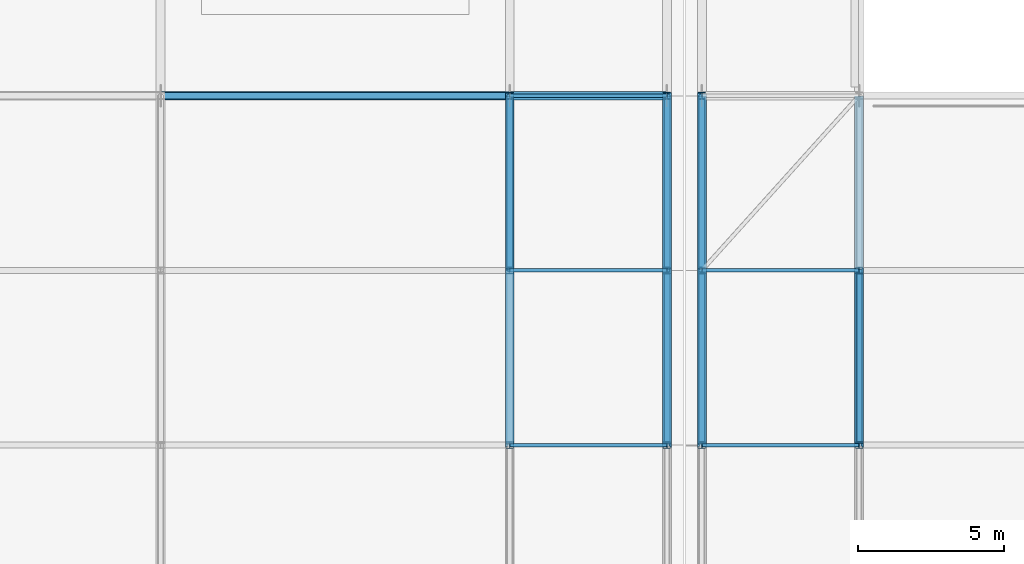
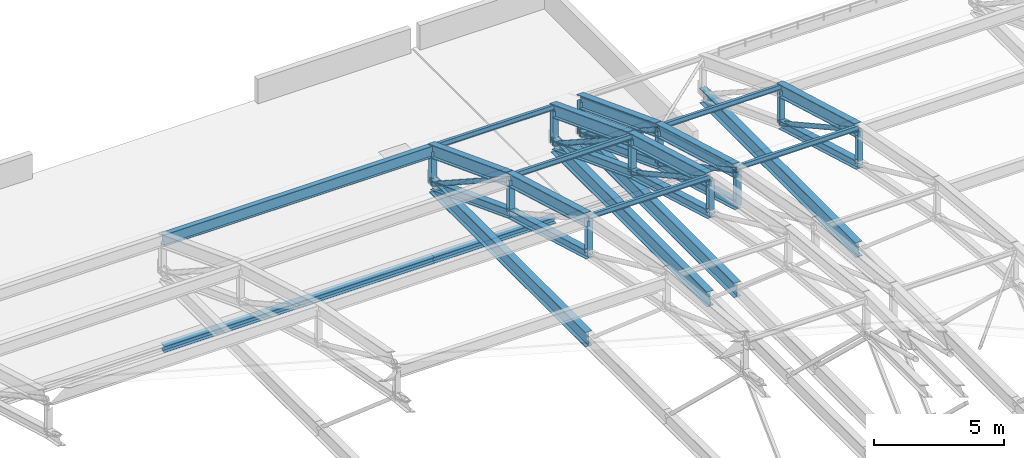
# One storey, part 152 of 204: 41 members, 2 beams.
"""IFC4 building model written with IfcOpenShell, lengths in metres."""

import ifcopenshell
import ifcopenshell.guid

model = None  # the IFC model being written
_history = None  # IfcOwnerHistory: only IFC2X3 demands one
_inside = {}  # id of a spatial element -> (the spatial element, [elements in it])
_under = {}  # id of a project, library or spatial element -> (it, [spatial elements below it])
_declared = {}  # id of a project -> (the project, [libraries it declares])
_typed = {}  # id of a type object -> (the type object, [elements of that type])
_made_of = {}  # id of a material, layer set ... -> (it, [elements and type objects made of it])


def new_model(schema):
    """Start an empty IFC model of exactly this schema.

    Asked for "IFC4X3", IfcOpenShell would pick the latest addendum, in which some entities
    have other attributes; the version numbers below select the first issue.
    IFC2X3 requires an IfcOwnerHistory on every rooted entity: one is made here for all.
    """
    global model, _history
    if schema == "IFC4X3":
        model = ifcopenshell.file(schema_version=(4, 3, 0, 0))
    else:
        model = ifcopenshell.file(schema=schema)
    _inside.clear()
    _under.clear()
    _declared.clear()
    _typed.clear()
    _made_of.clear()
    _history = None
    if model.schema == "IFC2X3":
        org = make("IfcOrganization", Name="unknown")
        user = make(
            "IfcPersonAndOrganization",
            ThePerson=make("IfcPerson", FamilyName="unknown"),
            TheOrganization=org,
        )
        app = make(
            "IfcApplication",
            ApplicationDeveloper=org,
            Version="unknown",
            ApplicationFullName="unknown",
            ApplicationIdentifier="unknown",
        )
        _history = make(
            "IfcOwnerHistory",
            OwningUser=user,
            OwningApplication=app,
            ChangeAction="ADDED",
            CreationDate=0,
        )
    return model


def make(cls, **values):
    """One entity of the class cls with the attributes given. An attribute that is None is left unset."""
    return model.create_entity(
        cls, **{name: value for name, value in values.items() if value is not None}
    )


def rooted(cls, **values):
    """An entity with a GlobalId (a new one), such as an element, a storey or a relation."""
    return make(cls, GlobalId=ifcopenshell.guid.new(), OwnerHistory=_history, **values)


def si_unit(unit_type, name, prefix=None):
    """IfcSIUnit, for example si_unit("LENGTHUNIT", "METRE", prefix="MILLI")."""
    return make("IfcSIUnit", UnitType=unit_type, Prefix=prefix, Name=name)


def assignment(units):
    """IfcUnitAssignment: the units of a project."""
    return None if units is None else make("IfcUnitAssignment", Units=units)


def point(xyz):
    """IfcCartesianPoint."""
    return None if xyz is None else make("IfcCartesianPoint", Coordinates=xyz)


def direction(xyz):
    """IfcDirection."""
    return None if xyz is None else make("IfcDirection", DirectionRatios=xyz)


def frame(location, z_axis=None, x_axis=None):
    """IfcAxis2Placement3D, a coordinate frame: its origin and axes. An axis left out is left unset."""
    return make(
        "IfcAxis2Placement3D",
        Location=point(location),
        Axis=direction(z_axis),
        RefDirection=direction(x_axis),
    )


def frame_2d(location, x_axis=None):
    """IfcAxis2Placement2D, a coordinate frame in the plane: its origin and x axis."""
    return make(
        "IfcAxis2Placement2D", Location=point(location), RefDirection=direction(x_axis)
    )


def origin():
    """The frame at (0, 0, 0) with its axes left unset."""
    return frame((0.0, 0.0, 0.0))


def origin_2d():
    """The frame at (0, 0) in the plane with its x axis left unset."""
    return frame_2d((0.0, 0.0))


def place(relative_to, where):
    """IfcLocalPlacement: puts the frame where relative to a parent placement (None: the world)."""
    return make(
        "IfcLocalPlacement", PlacementRelTo=relative_to, RelativePlacement=where
    )


def context(
    kind, dimensions, precision=None, world=None, true_north=None, identifier=None
):
    """IfcGeometricRepresentationContext, for example the 3D "Model" context."""
    return make(
        "IfcGeometricRepresentationContext",
        ContextIdentifier=identifier,
        ContextType=kind,
        CoordinateSpaceDimension=dimensions,
        Precision=precision,
        WorldCoordinateSystem=world,
        TrueNorth=true_north,
    )


def subcontext(parent, identifier, kind, view, scale=None):
    """IfcGeometricRepresentationSubContext, for example "Body" below "Model"."""
    return make(
        "IfcGeometricRepresentationSubContext",
        ContextIdentifier=identifier,
        ContextType=kind,
        ParentContext=parent,
        TargetScale=scale,
        TargetView=view,
    )


def project(units=None, contexts=None):
    """IfcProject with its units and contexts."""
    return rooted(
        "IfcProject",
        Name="project",
        RepresentationContexts=contexts,
        UnitsInContext=assignment(units),
    )


def spatial(cls, under=None, at=None, **own):
    """A site, building, storey or space (cls), placed at a placement, below another one or the project."""
    s = rooted(cls, ObjectPlacement=at, **own)
    if under is not None:
        _under.setdefault(under.id(), (under, []))[1].append(s)
    return s


def profile(cls, at=None, kind="AREA", **sizes):
    """A parametric profile (cls). Its sizes go by their IFC names, for example OverallWidth=200.0."""
    return make(cls, ProfileType=kind, Position=at, **sizes)


def hollow_circle(**sizes):
    """IfcCircleHollowProfileDef."""
    return profile("IfcCircleHollowProfileDef", **sizes)


def i_section(**sizes):
    """IfcIShapeProfileDef."""
    return profile("IfcIShapeProfileDef", **sizes)


def extrude(swept, where, along, depth):
    """IfcExtrudedAreaSolid: the profile swept, set in the frame where, extruded along a direction by depth."""
    return make(
        "IfcExtrudedAreaSolid",
        SweptArea=swept,
        Position=where,
        ExtrudedDirection=direction(along),
        Depth=depth,
    )


def shape(context_of_items, identifier, shape_type, items):
    """IfcShapeRepresentation: the items that make up one representation, for example the "Body"."""
    return make(
        "IfcShapeRepresentation",
        ContextOfItems=context_of_items,
        RepresentationIdentifier=identifier,
        RepresentationType=shape_type,
        Items=items,
    )


def material(Name=None, Category=None):
    """IfcMaterial."""
    return make("IfcMaterial", Name=Name, Category=Category)


def material_profile(
    of_material, cross_section, Name=None, Category=None, Priority=None
):
    """IfcMaterialProfile: a cross section and its material."""
    return make(
        "IfcMaterialProfile",
        Name=Name,
        Material=of_material,
        Profile=cross_section,
        Priority=Priority,
        Category=Category,
    )


def profile_set(profiles, Name=None, composite=None):
    """IfcMaterialProfileSet."""
    return make(
        "IfcMaterialProfileSet",
        Name=Name,
        MaterialProfiles=profiles,
        CompositeProfile=composite,
    )


def made_of(thing, what):
    """Note that an element or type object is made of a material, layer set ...; save() writes the relation."""
    if what is not None:
        _made_of.setdefault(what.id(), (what, []))[1].append(thing)
    return thing


def type_object(cls, material=None, **own):
    """A type object (cls), such as IfcWallType, which elements share."""
    return made_of(rooted(cls, **own), material)


def element(
    cls,
    number,
    at=None,
    inside=None,
    cuts=None,
    type_object=None,
    material=None,
    context=None,
    identifier="Body",
    shape_type=None,
    held_by="IfcProductDefinitionShape",
    body=None,
    shapes=None,
    **own,
):
    """One element of the class cls, such as IfcWall. Its Tag is "e" and its number.

    at: its placement. inside: the storey or other place that contains it. cuts: it is an
    opening in that element (IfcRelVoidsElement). A single representation is given by context,
    identifier, shape_type and body (its items); several are given by shapes. held_by: the class
    of the entity that holds the representations. save() writes the other relations.
    """
    e = rooted(cls, Tag="e%d" % number, ObjectPlacement=at, **own)
    if body is not None:
        shapes = [shape(context, identifier, shape_type, body)]
    if shapes is not None:
        e.Representation = make(held_by, Representations=shapes)
    if inside is not None:
        _inside.setdefault(inside.id(), (inside, []))[1].append(e)
    if cuts is not None:
        rooted(
            "IfcRelVoidsElement", RelatingBuildingElement=cuts, RelatedOpeningElement=e
        )
    if type_object is not None:
        _typed.setdefault(type_object.id(), (type_object, []))[1].append(e)
    return made_of(e, material)


def aggregate(whole, parts):
    """IfcRelAggregates: a whole, such as a stair, and the parts it consists of."""
    return rooted("IfcRelAggregates", RelatingObject=whole, RelatedObjects=parts)


def save(model, path):
    """Write the relations noted so far, then the file.

    IfcRelAggregates (storeys below a building ...), IfcRelContainedInSpatialStructure (elements
    in a storey), IfcRelDefinesByType, IfcRelAssociatesMaterial and IfcRelDeclares: one each for
    every whole, place, type object, material and project.
    """
    for whole, parts in _under.values():
        aggregate(whole, parts)
    for where, things in _inside.values():
        rooted(
            "IfcRelContainedInSpatialStructure",
            RelatedElements=things,
            RelatingStructure=where,
        )
    for kind, things in _typed.values():
        rooted("IfcRelDefinesByType", RelatedObjects=things, RelatingType=kind)
    for what, things in _made_of.values():
        rooted("IfcRelAssociatesMaterial", RelatedObjects=things, RelatingMaterial=what)
    for by, libraries in _declared.values():
        rooted("IfcRelDeclares", RelatingContext=by, RelatedDefinitions=libraries)
    model.write(path)


model = new_model("IFC4")

# Units and contexts
model_context = context("Model", 3, precision=1e-05, world=origin(), true_north=direction((0.0, 1.0)))
body_context = subcontext(model_context, "Body", "Model", "MODEL_VIEW")
ifc_project = project(units=[si_unit("LENGTHUNIT", "METRE"), si_unit("AREAUNIT", "SQUARE_METRE"), si_unit("VOLUMEUNIT", "CUBIC_METRE"), si_unit("PLANEANGLEUNIT", "RADIAN"), si_unit("MASSUNIT", "GRAM", prefix="KILO")], contexts=[model_context])

# Site, building, storey
site_placement = place(None, origin())
site = spatial("IfcSite", under=ifc_project, at=site_placement, CompositionType="ELEMENT")
building_placement = place(site_placement, origin())
building = spatial("IfcBuilding", under=site, at=building_placement, Name="Zilviju Railside Exhibition Hall", CompositionType="ELEMENT")
storey_placement = place(building_placement, frame((0.0, 0.0, 21.0)))
storey = spatial("IfcBuildingStorey", under=building, at=storey_placement, Name="RF", CompositionType="ELEMENT", Elevation=21.0)

# Beams
ifc_material = material(Name="Steel S355J2", Category="steel")
ifc_material_profile_1 = material_profile(ifc_material, i_section(OverallWidth=0.300048828125, OverallDepth=0.2900390625, WebThickness=0.008544921875, FlangeThickness=0.013916015625, at=origin_2d()), Name="HEA 300")
ifc_profile_set_1 = profile_set([ifc_material_profile_1], Name="Steel S355J2")
beam_type = type_object("IfcBeamType", Name="BM-HEA300", PredefinedType="SPANDREL", material=ifc_profile_set_1)
beam_1_placement = place(storey_placement, frame((156.0, 138.0, -7.094970703125), z_axis=(1.0, 0.0, 0.0), x_axis=(0.0, 1.0, 0.0)))
element("IfcBeam", 1, at=beam_1_placement, inside=storey, type_object=beam_type, Name="Logistics Roof Beam Y=138.0 (156.0..168.0)", PredefinedType="SPANDREL", context=body_context, shape_type="SweptSolid", body=[
    extrude(i_section(OverallWidth=0.300048828125, OverallDepth=0.2900390625, WebThickness=0.008544921875, FlangeThickness=0.013916015625, at=origin_2d()), origin(), (0.0, 0.0, 1.0), 12.0),
])
beam_2_placement = place(storey_placement, frame((168.0, 138.0, -7.094970703125), z_axis=(1.0, 0.0, 0.0), x_axis=(0.0, 1.0, 0.0)))
element("IfcBeam", 2, at=beam_2_placement, inside=storey, type_object=beam_type, Name="Logistics Roof Beam Y=138.0 (168.0..173.4)", PredefinedType="SPANDREL", context=body_context, shape_type="SweptSolid", body=[
    extrude(i_section(OverallWidth=0.300048828125, OverallDepth=0.2900390625, WebThickness=0.008544921875, FlangeThickness=0.013916015625, at=origin_2d()), origin(), (0.0, 0.0, 1.0), 5.39990234375),
])

# Members
ifc_material_profile_2 = material_profile(ifc_material, hollow_circle(Radius=0.109619140625, WallThickness=0.010009765625, at=origin_2d()), Name="CHS 219.1x10.0")
ifc_profile_set_2 = profile_set([ifc_material_profile_2], Name="Steel S355J2")
member_type_1 = type_object("IfcMemberType", Name="TR-BR-CHS219", PredefinedType="BRACE", material=ifc_profile_set_2)
member_1_placement = place(storey_placement, frame((168.0, 132.0, 0.291259765625), z_axis=(0.0, 0.838995406637, -0.544138500423), x_axis=(-1.0, 0.0, 0.0)))
element("IfcMember", 3, at=member_1_placement, inside=storey, type_object=member_type_1, Name="V2 Parabolic Arch Web Diagonal X=168.0 P9", PredefinedType="BRACE", context=body_context, shape_type="SweptSolid", body=[
    extrude(hollow_circle(Radius=0.109619140625, WallThickness=0.010009765625, at=origin_2d()), origin(), (0.0, 0.0, 1.0), 7.1513671875),
])
member_2_placement = place(storey_placement, frame((173.39990234375, 126.0, 2.009765625), z_axis=(0.0, 0.8750828143, -0.483973210122), x_axis=(-1.0, 0.0, 0.0)))
element("IfcMember", 4, at=member_2_placement, inside=storey, type_object=member_type_1, Name="V2 Parabolic Arch Web Diagonal X=173.4 P8", PredefinedType="BRACE", context=body_context, shape_type="SweptSolid", body=[
    extrude(hollow_circle(Radius=0.109619140625, WallThickness=0.010009765625, at=origin_2d()), origin(), (0.0, 0.0, 1.0), 6.8564453125),
])
member_3_placement = place(storey_placement, frame((173.39990234375, 132.0, 0.291259765625), z_axis=(0.0, 0.838995406637, -0.544138500423), x_axis=(-1.0, 0.0, 0.0)))
element("IfcMember", 5, at=member_3_placement, inside=storey, type_object=member_type_1, Name="V2 Parabolic Arch Web Diagonal X=173.4 P9", PredefinedType="BRACE", context=body_context, shape_type="SweptSolid", body=[
    extrude(hollow_circle(Radius=0.109619140625, WallThickness=0.010009765625, at=origin_2d()), origin(), (0.0, 0.0, 1.0), 7.1513671875),
])
member_4_placement = place(storey_placement, frame((174.60009765625, 126.0, 2.009765625), z_axis=(0.0, 0.8750828143, -0.483973210122), x_axis=(-1.0, 0.0, 0.0)))
element("IfcMember", 6, at=member_4_placement, inside=storey, type_object=member_type_1, Name="V2 Parabolic Arch Web Diagonal X=174.6 P8", PredefinedType="BRACE", context=body_context, shape_type="SweptSolid", body=[
    extrude(hollow_circle(Radius=0.109619140625, WallThickness=0.010009765625, at=origin_2d()), origin(), (0.0, 0.0, 1.0), 6.8564453125),
])
member_5_placement = place(storey_placement, frame((174.60009765625, 132.0, 0.291259765625), z_axis=(0.0, 0.838995406637, -0.544138500423), x_axis=(-1.0, 0.0, 0.0)))
element("IfcMember", 7, at=member_5_placement, inside=storey, type_object=member_type_1, Name="V2 Parabolic Arch Web Diagonal X=174.6 P9", PredefinedType="BRACE", context=body_context, shape_type="SweptSolid", body=[
    extrude(hollow_circle(Radius=0.109619140625, WallThickness=0.010009765625, at=origin_2d()), origin(), (0.0, 0.0, 1.0), 7.1513671875),
])
member_6_placement = place(storey_placement, frame((180.0, 126.0, 2.009765625), z_axis=(0.0, 0.8750828143, -0.483973210122), x_axis=(-1.0, 0.0, 0.0)))
element("IfcMember", 8, at=member_6_placement, inside=storey, type_object=member_type_1, Name="V2 Parabolic Arch Web Diagonal X=180.0 P8", PredefinedType="BRACE", context=body_context, shape_type="SweptSolid", body=[
    extrude(hollow_circle(Radius=0.109619140625, WallThickness=0.010009765625, at=origin_2d()), origin(), (0.0, 0.0, 1.0), 6.8564453125),
])
ifc_material_profile_3 = material_profile(ifc_material, i_section(OverallWidth=0.300048828125, OverallDepth=0.39990234375, WebThickness=0.013427734375, FlangeThickness=0.02392578125, at=origin_2d()), Name="HEB 400")
ifc_profile_set_3 = profile_set([ifc_material_profile_3], Name="Steel S355J2")
member_type_2 = type_object("IfcMemberType", Name="TR-CH-HEB400", PredefinedType="CHORD", material=ifc_profile_set_3)
member_7_placement = place(storey_placement, frame((168.0, 126.0, 0.409912109375), z_axis=(0.0, 0.961345133658, -0.275346207512), x_axis=(-1.0, 0.0, 0.0)))
element("IfcMember", 9, at=member_7_placement, inside=storey, type_object=member_type_2, Name="V2 Parabolic Arch Bottom Chord X=168.0 P8", PredefinedType="CHORD", context=body_context, shape_type="SweptSolid", body=[
    extrude(i_section(OverallWidth=0.300048828125, OverallDepth=0.39990234375, WebThickness=0.013427734375, FlangeThickness=0.02392578125, at=origin_2d()), origin(), (0.0, 0.0, 1.0), 6.2412109375),
])
member_8_placement = place(storey_placement, frame((168.0, 132.0, -1.30859375), z_axis=(0.0, 0.934187521086, -0.35678239229), x_axis=(-1.0, 0.0, 0.0)))
element("IfcMember", 10, at=member_8_placement, inside=storey, type_object=member_type_2, Name="V2 Parabolic Arch Bottom Chord X=168.0 P9", PredefinedType="CHORD", context=body_context, shape_type="SweptSolid", body=[
    extrude(i_section(OverallWidth=0.300048828125, OverallDepth=0.39990234375, WebThickness=0.013427734375, FlangeThickness=0.02392578125, at=origin_2d()), origin(), (0.0, 0.0, 1.0), 6.422607421875),
])
member_9_placement = place(storey_placement, frame((173.39990234375, 126.0, 0.409912109375), z_axis=(0.0, 0.961345133658, -0.275346207512), x_axis=(-1.0, 0.0, 0.0)))
element("IfcMember", 11, at=member_9_placement, inside=storey, type_object=member_type_2, Name="V2 Parabolic Arch Bottom Chord X=173.4 P8", PredefinedType="CHORD", context=body_context, shape_type="SweptSolid", body=[
    extrude(i_section(OverallWidth=0.300048828125, OverallDepth=0.39990234375, WebThickness=0.013427734375, FlangeThickness=0.02392578125, at=origin_2d()), origin(), (0.0, 0.0, 1.0), 6.2412109375),
])
member_10_placement = place(storey_placement, frame((173.39990234375, 132.0, -1.30859375), z_axis=(0.0, 0.934187521086, -0.35678239229), x_axis=(-1.0, 0.0, 0.0)))
element("IfcMember", 12, at=member_10_placement, inside=storey, type_object=member_type_2, Name="V2 Parabolic Arch Bottom Chord X=173.4 P9", PredefinedType="CHORD", context=body_context, shape_type="SweptSolid", body=[
    extrude(i_section(OverallWidth=0.300048828125, OverallDepth=0.39990234375, WebThickness=0.013427734375, FlangeThickness=0.02392578125, at=origin_2d()), origin(), (0.0, 0.0, 1.0), 6.422607421875),
])
member_11_placement = place(storey_placement, frame((174.60009765625, 126.0, 0.409912109375), z_axis=(0.0, 0.961345133658, -0.275346207512), x_axis=(-1.0, 0.0, 0.0)))
element("IfcMember", 13, at=member_11_placement, inside=storey, type_object=member_type_2, Name="V2 Parabolic Arch Bottom Chord X=174.6 P8", PredefinedType="CHORD", context=body_context, shape_type="SweptSolid", body=[
    extrude(i_section(OverallWidth=0.300048828125, OverallDepth=0.39990234375, WebThickness=0.013427734375, FlangeThickness=0.02392578125, at=origin_2d()), origin(), (0.0, 0.0, 1.0), 6.2412109375),
])
member_12_placement = place(storey_placement, frame((174.60009765625, 132.0, -1.30859375), z_axis=(0.0, 0.934187521086, -0.35678239229), x_axis=(-1.0, 0.0, 0.0)))
element("IfcMember", 14, at=member_12_placement, inside=storey, type_object=member_type_2, Name="V2 Parabolic Arch Bottom Chord X=174.6 P9", PredefinedType="CHORD", context=body_context, shape_type="SweptSolid", body=[
    extrude(i_section(OverallWidth=0.300048828125, OverallDepth=0.39990234375, WebThickness=0.013427734375, FlangeThickness=0.02392578125, at=origin_2d()), origin(), (0.0, 0.0, 1.0), 6.422607421875),
])
member_13_placement = place(storey_placement, frame((180.0, 126.0, 0.409912109375), z_axis=(0.0, 0.961345133658, -0.275346207512), x_axis=(-1.0, 0.0, 0.0)))
element("IfcMember", 15, at=member_13_placement, inside=storey, type_object=member_type_2, Name="V2 Parabolic Arch Bottom Chord X=180.0 P8", PredefinedType="CHORD", context=body_context, shape_type="SweptSolid", body=[
    extrude(i_section(OverallWidth=0.300048828125, OverallDepth=0.39990234375, WebThickness=0.013427734375, FlangeThickness=0.02392578125, at=origin_2d()), origin(), (0.0, 0.0, 1.0), 6.2412109375),
])
ifc_material_profile_4 = material_profile(ifc_material, i_section(OverallWidth=0.300048828125, OverallDepth=0.60009765625, WebThickness=0.015380859375, FlangeThickness=0.030029296875, at=origin_2d()), Name="HEB 600")
ifc_profile_set_4 = profile_set([ifc_material_profile_4], Name="Steel S355J2")
member_type_3 = type_object("IfcMemberType", Name="TR-CH-HEB600", PredefinedType="CHORD", material=ifc_profile_set_4)
member_14_placement = place(storey_placement, frame((168.0, 126.0, 2.009765625), z_axis=(0.0, 0.961345133658, -0.275346207512), x_axis=(-1.0, 0.0, 0.0)))
element("IfcMember", 16, at=member_14_placement, inside=storey, type_object=member_type_3, Name="V2 Parabolic Arch Top Chord X=168.0 P8", PredefinedType="CHORD", context=body_context, shape_type="SweptSolid", body=[
    extrude(i_section(OverallWidth=0.300048828125, OverallDepth=0.60009765625, WebThickness=0.015380859375, FlangeThickness=0.030029296875, at=origin_2d()), origin(), (0.0, 0.0, 1.0), 6.2412109375),
])
member_15_placement = place(storey_placement, frame((168.0, 132.0, 0.291259765625), z_axis=(0.0, 0.934200190194, -0.356749218138), x_axis=(-1.0, 0.0, 0.0)))
element("IfcMember", 17, at=member_15_placement, inside=storey, type_object=member_type_3, Name="V2 Parabolic Arch Top Chord X=168.0 P9", PredefinedType="CHORD", context=body_context, shape_type="SweptSolid", body=[
    extrude(i_section(OverallWidth=0.300048828125, OverallDepth=0.60009765625, WebThickness=0.015380859375, FlangeThickness=0.030029296875, at=origin_2d()), origin(), (0.0, 0.0, 1.0), 6.422607421875),
])
member_16_placement = place(storey_placement, frame((173.39990234375, 126.0, 2.009765625), z_axis=(0.0, 0.961345133658, -0.275346207512), x_axis=(-1.0, 0.0, 0.0)))
element("IfcMember", 18, at=member_16_placement, inside=storey, type_object=member_type_3, Name="V2 Parabolic Arch Top Chord X=173.4 P8", PredefinedType="CHORD", context=body_context, shape_type="SweptSolid", body=[
    extrude(i_section(OverallWidth=0.300048828125, OverallDepth=0.60009765625, WebThickness=0.015380859375, FlangeThickness=0.030029296875, at=origin_2d()), origin(), (0.0, 0.0, 1.0), 6.2412109375),
])
member_17_placement = place(storey_placement, frame((173.39990234375, 132.0, 0.291259765625), z_axis=(0.0, 0.934200190194, -0.356749218138), x_axis=(-1.0, 0.0, 0.0)))
element("IfcMember", 19, at=member_17_placement, inside=storey, type_object=member_type_3, Name="V2 Parabolic Arch Top Chord X=173.4 P9", PredefinedType="CHORD", context=body_context, shape_type="SweptSolid", body=[
    extrude(i_section(OverallWidth=0.300048828125, OverallDepth=0.60009765625, WebThickness=0.015380859375, FlangeThickness=0.030029296875, at=origin_2d()), origin(), (0.0, 0.0, 1.0), 6.422607421875),
])
member_18_placement = place(storey_placement, frame((174.60009765625, 126.0, 2.009765625), z_axis=(0.0, 0.961345133658, -0.275346207512), x_axis=(-1.0, 0.0, 0.0)))
element("IfcMember", 20, at=member_18_placement, inside=storey, type_object=member_type_3, Name="V2 Parabolic Arch Top Chord X=174.6 P8", PredefinedType="CHORD", context=body_context, shape_type="SweptSolid", body=[
    extrude(i_section(OverallWidth=0.300048828125, OverallDepth=0.60009765625, WebThickness=0.015380859375, FlangeThickness=0.030029296875, at=origin_2d()), origin(), (0.0, 0.0, 1.0), 6.2412109375),
])
member_19_placement = place(storey_placement, frame((174.60009765625, 132.0, 0.291259765625), z_axis=(0.0, 0.934200190194, -0.356749218138), x_axis=(-1.0, 0.0, 0.0)))
element("IfcMember", 21, at=member_19_placement, inside=storey, type_object=member_type_3, Name="V2 Parabolic Arch Top Chord X=174.6 P9", PredefinedType="CHORD", context=body_context, shape_type="SweptSolid", body=[
    extrude(i_section(OverallWidth=0.300048828125, OverallDepth=0.60009765625, WebThickness=0.015380859375, FlangeThickness=0.030029296875, at=origin_2d()), origin(), (0.0, 0.0, 1.0), 6.422607421875),
])
member_20_placement = place(storey_placement, frame((180.0, 126.0, 2.009765625), z_axis=(0.0, 0.961345133658, -0.275346207512), x_axis=(-1.0, 0.0, 0.0)))
element("IfcMember", 22, at=member_20_placement, inside=storey, type_object=member_type_3, Name="V2 Parabolic Arch Top Chord X=180.0 P8", PredefinedType="CHORD", context=body_context, shape_type="SweptSolid", body=[
    extrude(i_section(OverallWidth=0.300048828125, OverallDepth=0.60009765625, WebThickness=0.015380859375, FlangeThickness=0.030029296875, at=origin_2d()), origin(), (0.0, 0.0, 1.0), 6.2412109375),
])
ifc_material_profile_5 = material_profile(ifc_material, i_section(OverallWidth=0.239990234375, OverallDepth=0.22998046875, WebThickness=0.007568359375, FlangeThickness=0.011962890625, at=origin_2d()), Name="HEA 240")
ifc_profile_set_5 = profile_set([ifc_material_profile_5], Name="Steel S355J2")
member_type_4 = type_object("IfcMemberType", Name="TR-POST-HEA240", PredefinedType="POST", material=ifc_profile_set_5)
for number, where, z_axis, x_axis, name in (
    (23, (168.0, 126.0, 0.409912109375), (0.0, 0.0, 1.0), (1.0, 0.0, 0.0), "V2 Parabolic Arch Web Post X=168.0 N7"),
    (24, (168.0, 132.0, -1.30859375), (0.0, 0.0, 1.0), (1.0, 0.0, 0.0), "V2 Parabolic Arch Web Post X=168.0 N8"),
):
    element("IfcMember", number, at=place(storey_placement, frame(where, z_axis=z_axis, x_axis=x_axis)), inside=storey, type_object=member_type_4, Name=name, PredefinedType="POST", context=body_context, shape_type="SweptSolid", body=[
        extrude(i_section(OverallWidth=0.239990234375, OverallDepth=0.22998046875, WebThickness=0.007568359375, FlangeThickness=0.011962890625, at=origin_2d()), origin(), (0.0, 0.0, 1.0), 1.599853515625),
    ])
member_21_placement = place(storey_placement, frame((168.0, 138.0, -3.60009765625), z_axis=(0.0, 0.0, 1.0), x_axis=(1.0, 0.0, 0.0)))
element("IfcMember", 25, at=member_21_placement, inside=storey, type_object=member_type_4, Name="V2 Parabolic Arch Web Post X=168.0 N9", PredefinedType="POST", context=body_context, shape_type="SweptSolid", body=[
    extrude(i_section(OverallWidth=0.239990234375, OverallDepth=0.22998046875, WebThickness=0.007568359375, FlangeThickness=0.011962890625, at=origin_2d()), origin(), (0.0, 0.0, 1.0), 1.60009765625),
])
for number, where, z_axis, x_axis, name in (
    (26, (173.39990234375, 126.0, 0.409912109375), (0.0, 0.0, 1.0), (1.0, 0.0, 0.0), "V2 Parabolic Arch Web Post X=173.4 N7"),
    (27, (173.39990234375, 132.0, -1.30859375), (0.0, 0.0, 1.0), (1.0, 0.0, 0.0), "V2 Parabolic Arch Web Post X=173.4 N8"),
):
    element("IfcMember", number, at=place(storey_placement, frame(where, z_axis=z_axis, x_axis=x_axis)), inside=storey, type_object=member_type_4, Name=name, PredefinedType="POST", context=body_context, shape_type="SweptSolid", body=[
        extrude(i_section(OverallWidth=0.239990234375, OverallDepth=0.22998046875, WebThickness=0.007568359375, FlangeThickness=0.011962890625, at=origin_2d()), origin(), (0.0, 0.0, 1.0), 1.599853515625),
    ])
member_22_placement = place(storey_placement, frame((173.39990234375, 138.0, -3.60009765625), z_axis=(0.0, 0.0, 1.0), x_axis=(1.0, 0.0, 0.0)))
element("IfcMember", 28, at=member_22_placement, inside=storey, type_object=member_type_4, Name="V2 Parabolic Arch Web Post X=173.4 N9", PredefinedType="POST", context=body_context, shape_type="SweptSolid", body=[
    extrude(i_section(OverallWidth=0.239990234375, OverallDepth=0.22998046875, WebThickness=0.007568359375, FlangeThickness=0.011962890625, at=origin_2d()), origin(), (0.0, 0.0, 1.0), 1.60009765625),
])
for number, where, z_axis, x_axis, name in (
    (29, (174.60009765625, 126.0, 0.409912109375), (0.0, 0.0, 1.0), (1.0, 0.0, 0.0), "V2 Parabolic Arch Web Post X=174.6 N7"),
    (30, (174.60009765625, 132.0, -1.30859375), (0.0, 0.0, 1.0), (1.0, 0.0, 0.0), "V2 Parabolic Arch Web Post X=174.6 N8"),
):
    element("IfcMember", number, at=place(storey_placement, frame(where, z_axis=z_axis, x_axis=x_axis)), inside=storey, type_object=member_type_4, Name=name, PredefinedType="POST", context=body_context, shape_type="SweptSolid", body=[
        extrude(i_section(OverallWidth=0.239990234375, OverallDepth=0.22998046875, WebThickness=0.007568359375, FlangeThickness=0.011962890625, at=origin_2d()), origin(), (0.0, 0.0, 1.0), 1.599853515625),
    ])
member_23_placement = place(storey_placement, frame((174.60009765625, 138.0, -3.60009765625), z_axis=(0.0, 0.0, 1.0), x_axis=(1.0, 0.0, 0.0)))
element("IfcMember", 31, at=member_23_placement, inside=storey, type_object=member_type_4, Name="V2 Parabolic Arch Web Post X=174.6 N9", PredefinedType="POST", context=body_context, shape_type="SweptSolid", body=[
    extrude(i_section(OverallWidth=0.239990234375, OverallDepth=0.22998046875, WebThickness=0.007568359375, FlangeThickness=0.011962890625, at=origin_2d()), origin(), (0.0, 0.0, 1.0), 1.60009765625),
])
for number, where, z_axis, x_axis, name in (
    (32, (180.0, 126.0, 0.409912109375), (0.0, 0.0, 1.0), (1.0, 0.0, 0.0), "V2 Parabolic Arch Web Post X=180.0 N7"),
    (33, (180.0, 132.0, -1.30859375), (0.0, 0.0, 1.0), (1.0, 0.0, 0.0), "V2 Parabolic Arch Web Post X=180.0 N8"),
):
    element("IfcMember", number, at=place(storey_placement, frame(where, z_axis=z_axis, x_axis=x_axis)), inside=storey, type_object=member_type_4, Name=name, PredefinedType="POST", context=body_context, shape_type="SweptSolid", body=[
        extrude(i_section(OverallWidth=0.239990234375, OverallDepth=0.22998046875, WebThickness=0.007568359375, FlangeThickness=0.011962890625, at=origin_2d()), origin(), (0.0, 0.0, 1.0), 1.599853515625),
    ])
ifc_material_profile_6 = material_profile(ifc_material, i_section(OverallWidth=0.1201171875, OverallDepth=0.239990234375, WebThickness=0.006103515625, FlangeThickness=0.009765625, at=origin_2d()), Name="IPE 240")
ifc_profile_set_6 = profile_set([ifc_material_profile_6], Name="Steel S355J2")
member_type_5 = type_object("IfcMemberType", Name="TR-PUR-IPE240", PredefinedType="PURLIN", material=ifc_profile_set_6)
for number, where, z_axis, x_axis, name in (
    (34, (168.0, 126.0, 2.14306640625), (1.0, 0.0, 0.0), (0.0, 1.0, 0.0), "V2 Barrel Vault Roof Purlin Y=126.0 (168.0..173.4)"),
    (35, (168.0, 132.0, 0.41162109375), (1.0, 0.0, 0.0), (0.0, 1.0, 0.0), "V2 Barrel Vault Roof Purlin Y=132.0 (168.0..173.4)"),
    (36, (168.0, 138.0, -1.85693359375), (1.0, 0.0, 0.0), (0.0, 1.0, 0.0), "V2 Barrel Vault Roof Purlin Y=138.0 (168.0..173.4)"),
    (37, (174.60009765625, 126.0, 2.14306640625), (1.0, 0.0, 0.0), (0.0, 1.0, 0.0), "V2 Barrel Vault Roof Purlin Y=126.0 (174.6..180.0)"),
    (38, (174.60009765625, 132.0, 0.41162109375), (1.0, 0.0, 0.0), (0.0, 1.0, 0.0), "V2 Barrel Vault Roof Purlin Y=132.0 (174.6..180.0)"),
):
    element("IfcMember", number, at=place(storey_placement, frame(where, z_axis=z_axis, x_axis=x_axis)), inside=storey, type_object=member_type_5, Name=name, PredefinedType="PURLIN", context=body_context, shape_type="SweptSolid", body=[
        extrude(i_section(OverallWidth=0.1201171875, OverallDepth=0.239990234375, WebThickness=0.006103515625, FlangeThickness=0.009765625, at=origin_2d()), origin(), (0.0, 0.0, 1.0), 5.39990234375),
    ])
ifc_material_profile_7 = material_profile(ifc_material, i_section(OverallWidth=0.2099609375, OverallDepth=0.550048828125, WebThickness=0.010986328125, FlangeThickness=0.01708984375, at=origin_2d()), Name="IPE 550")
ifc_profile_set_7 = profile_set([ifc_material_profile_7], Name="Steel S355J2")
member_type_6 = type_object("IfcMemberType", Name="TR-PUR-IPE550", PredefinedType="PURLIN", material=ifc_profile_set_7)
member_24_placement = place(storey_placement, frame((156.0, 138.0, -2.011962890625), z_axis=(1.0, 0.0, 0.0), x_axis=(0.0, 1.0, 0.0)))
element("IfcMember", 39, at=member_24_placement, inside=storey, type_object=member_type_6, Name="V2 Barrel Vault Roof Purlin Y=138.0 (156.0..168.0)", PredefinedType="PURLIN", context=body_context, shape_type="SweptSolid", body=[
    extrude(i_section(OverallWidth=0.2099609375, OverallDepth=0.550048828125, WebThickness=0.010986328125, FlangeThickness=0.01708984375, at=origin_2d()), origin(), (0.0, 0.0, 1.0), 12.0),
])
ifc_material_profile_8 = material_profile(ifc_material, i_section(OverallWidth=0.300048828125, OverallDepth=0.699951171875, WebThickness=0.01708984375, FlangeThickness=0.031982421875, at=origin_2d()), Name="HEB 700")
ifc_profile_set_8 = profile_set([ifc_material_profile_8], Name="Steel S355J2")
member_type_7 = type_object("IfcMemberType", Name="TR-TIE-HEB700", PredefinedType="CHORD", material=ifc_profile_set_8)
for number, where, z_axis, x_axis, name in (
    (40, (168.0, 126.0, -3.60009765625), (0.0, 1.0, 0.0), (-1.0, 0.0, 0.0), "V2 Arch Tie Member X=168.0"),
    (41, (173.39990234375, 126.0, -3.60009765625), (0.0, 1.0, 0.0), (-1.0, 0.0, 0.0), "V2 Arch Tie Member X=173.4"),
    (42, (174.60009765625, 126.0, -3.60009765625), (0.0, 1.0, 0.0), (-1.0, 0.0, 0.0), "V2 Arch Tie Member X=174.6"),
    (43, (180.0, 126.0, -3.60009765625), (0.0, 1.0, 0.0), (-1.0, 0.0, 0.0), "V2 Arch Tie Member X=180.0"),
):
    element("IfcMember", number, at=place(storey_placement, frame(where, z_axis=z_axis, x_axis=x_axis)), inside=storey, type_object=member_type_7, Name=name, PredefinedType="CHORD", context=body_context, shape_type="SweptSolid", body=[
        extrude(i_section(OverallWidth=0.300048828125, OverallDepth=0.699951171875, WebThickness=0.01708984375, FlangeThickness=0.031982421875, at=origin_2d()), origin(), (0.0, 0.0, 1.0), 12.0),
    ])

save(model, "model.ifc")
